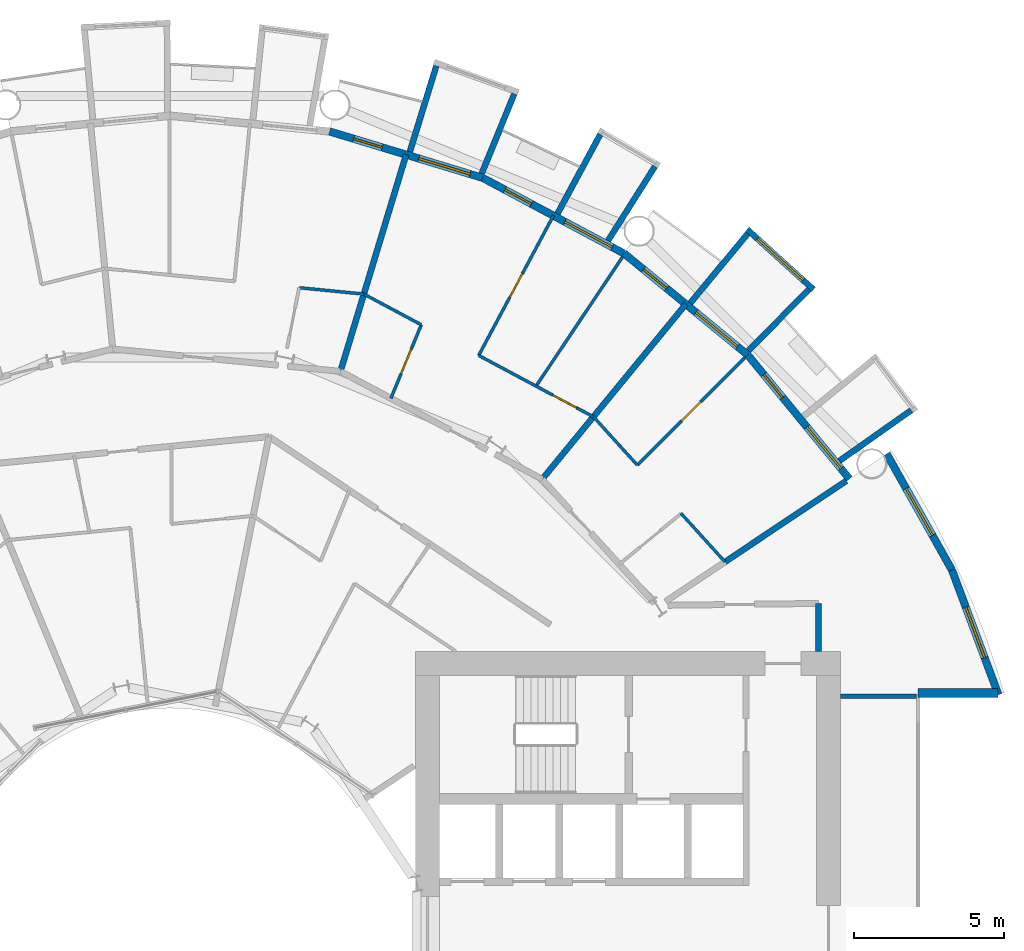
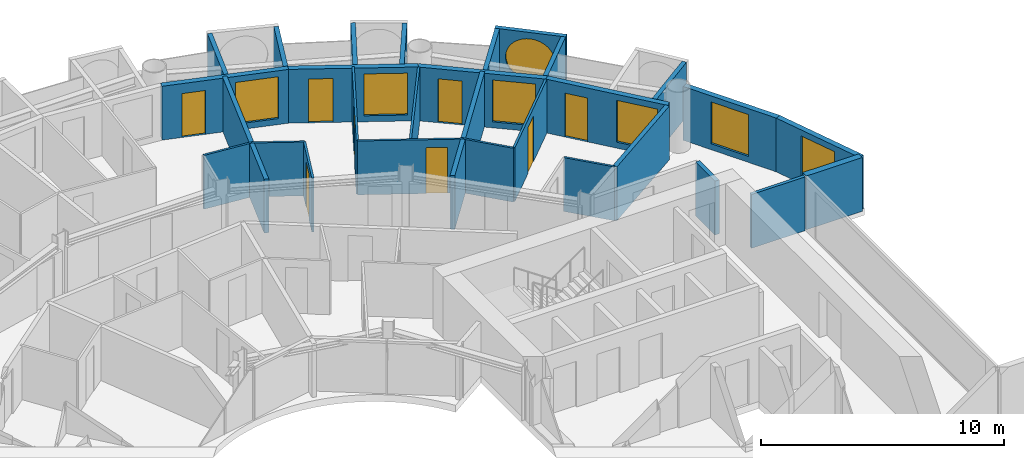
# One storey, part 22 of 26: 29 walls, 8 doors, 7 windows, 15 openings.
"""IFC4 building model written with IfcOpenShell, lengths in metres."""

from ifc_helpers import new_model, si_unit, direction, frame, frame_2d, origin, place, context, subcontext, project, spatial, rectangle, circle, extrude, material, layer, layer_set, type_object, element, fill, save


model = new_model("IFC4")

# Units and contexts
model_context = context("Model", 3, precision=1e-05, world=origin(), true_north=direction((0.0, 1.0)))
body_context = subcontext(model_context, "Body", "Model", "MODEL_VIEW")
ifc_project = project(units=[si_unit("LENGTHUNIT", "METRE"), si_unit("AREAUNIT", "SQUARE_METRE"), si_unit("VOLUMEUNIT", "CUBIC_METRE"), si_unit("PLANEANGLEUNIT", "RADIAN"), si_unit("MASSUNIT", "GRAM", prefix="KILO")], contexts=[model_context])

# Site, building, storey
site_placement = place(None, origin())
site = spatial("IfcSite", under=ifc_project, at=site_placement, CompositionType="ELEMENT")
building_placement = place(site_placement, origin())
building = spatial("IfcBuilding", under=site, at=building_placement, Name="Maasbend Ring Residences", CompositionType="ELEMENT")
storey_placement = place(building_placement, frame((0.0, 0.0, 25.85009765625)))
storey = spatial("IfcBuildingStorey", under=building, at=storey_placement, Name="L06", CompositionType="ELEMENT", Elevation=25.85009765625)

# Walls
ifc_material_1 = material(Name="Concrete C30/37", Category="concrete")
ifc_layer_1 = layer(ifc_material_1, 0.199951171875)
ifc_layer_set_1 = layer_set([ifc_layer_1], Name="Concrete C30/37")
wall_type_1 = type_object("IfcWallType", Name="CORRIDOR WALL 200 CONCRETE", PredefinedType="PARTITIONING", material=ifc_layer_set_1)
wall_1_placement = place(storey_placement, frame((21.675048828125, 9.39990234375, 0.0), z_axis=(0.0, 0.0, 1.0), x_axis=(0.0, 1.0, 0.0)))
element("IfcWall", 1, at=wall_1_placement, inside=storey, type_object=wall_type_1, Name="U-L06-w008", PredefinedType="PARTITIONING", context=body_context, shape_type="SweptSolid", body=[
    extrude(rectangle(XDim=1.60009765625, YDim=0.199951171875, at=frame_2d((0.800048828125, 0.0))), origin(), (0.0, 0.0, 1.0), 2.699951171875),
])
ifc_material_2 = material(Name="Pale anodised aluminium panel", Category="aluminium")
ifc_layer_2 = layer(ifc_material_2, 0.199951171875)
ifc_layer_set_2 = layer_set([ifc_layer_2], Name="EW-BOX")
wall_type_2 = type_object("IfcWallType", Name="EW-BOX", PredefinedType="SOLIDWALL", material=ifc_layer_set_2)
wall_2_placement = place(storey_placement, frame((22.3701171875, 15.764892578125, -0.030029296875), z_axis=(0.0, 0.0, 1.0), x_axis=(0.817256123454, 0.576274612209, 0.0)))
element("IfcWall", 2, at=wall_2_placement, inside=storey, type_object=wall_type_2, Name="Box side wall N01 left", PredefinedType="SOLIDWALL", context=body_context, shape_type="SweptSolid", body=[
    extrude(rectangle(XDim=2.932861328125, YDim=0.199951171875, at=frame_2d((1.46630859375, 0.0))), origin(), (0.0, 0.0, 1.0), 2.72998046875),
])

# Wall, opening, window
wall_3_placement = place(storey_placement, frame((21.5, 21.492919921875, -0.030029296875), z_axis=(0.0, 0.0, 1.0), x_axis=(-0.740998365753, 0.671506829416, 0.0)))
wall_3 = element("IfcWall", 3, at=wall_3_placement, inside=storey, type_object=wall_type_2, Name="Box front N03", PredefinedType="SOLIDWALL", context=body_context, shape_type="SweptSolid", body=[
    extrude(rectangle(XDim=2.9931640625, YDim=0.199951171875, at=frame_2d((1.49658203125, 0.0))), origin(), (0.0, 0.0, 1.0), 2.72998046875),
])
opening_1_placement = place(wall_3_placement, frame((0.45654296875, 0.0, 0.330078125)))
opening_1 = element("IfcOpeningElement", 4, at=opening_1_placement, cuts=wall_3, Name="Opening W-RD", PredefinedType="OPENING", context=body_context, shape_type="SweptSolid", body=[
    extrude(circle(Radius=1.0400390625, at=frame_2d((1.0400390625, 1.0400390625))), frame((0.0, 0.10986328125, 0.0), z_axis=(0.0, -1.0, 0.0), x_axis=(1.0, 0.0, 0.0)), (0.0, 0.0, 1.0), 0.219970703125),
])
ifc_material_3 = material(Name="Aluminium and clear glass", Category="aluminium")
window_type_1 = type_object("IfcWindowType", Name="W-RD", PartitioningType="SINGLE_PANEL", PredefinedType="WINDOW", material=ifc_material_3)
window_1_placement = place(opening_1_placement, origin())
window_1 = element("IfcWindow", 5, at=window_1_placement, inside=storey, type_object=window_type_1, Name="Round window N03", OverallHeight=2.080078125, OverallWidth=2.080078125, PartitioningType="SINGLE_PANEL", PredefinedType="WINDOW", context=body_context, shape_type="SweptSolid", body=[
    extrude(circle(Radius=1.0400390625, at=frame_2d((1.0400390625, 1.0400390625))), frame((0.0, 0.030029296875, 0.0), z_axis=(0.0, -1.0, 0.0), x_axis=(1.0, 0.0, 0.0)), (0.0, 0.0, 1.0), 0.06005859375),
])
fill(opening_1, window_1)

# Walls
wall_4_placement = place(storey_placement, frame((19.322998046875, 19.449951171875, -0.030029296875), z_axis=(0.0, 0.0, 1.0), x_axis=(0.704476739375, 0.709727076896, 0.0)))
element("IfcWall", 6, at=wall_4_placement, inside=storey, type_object=wall_type_2, Name="Box side wall N03 left", PredefinedType="SOLIDWALL", context=body_context, shape_type="SweptSolid", body=[
    extrude(rectangle(XDim=2.883056640625, YDim=0.199951171875, at=frame_2d((1.44140625, 0.0))), origin(), (0.0, 0.0, 1.0), 2.72998046875),
])
wall_5_placement = place(storey_placement, frame((17.384033203125, 21.041015625, -0.030029296875), z_axis=(0.0, 0.0, 1.0), x_axis=(0.63709551667, 0.770784861449, 0.0)))
element("IfcWall", 7, at=wall_5_placement, inside=storey, type_object=wall_type_2, Name="Box side wall N03 right", PredefinedType="SOLIDWALL", context=body_context, shape_type="SweptSolid", body=[
    extrude(rectangle(XDim=3.005859375, YDim=0.199951171875, at=frame_2d((1.5029296875, 0.0))), origin(), (0.0, 0.0, 1.0), 2.72998046875),
])
wall_6_placement = place(storey_placement, frame((14.635009765625, 23.1259765625, -0.030029296875), z_axis=(0.0, 0.0, 1.0), x_axis=(0.534437802731, 0.845207805816, 0.0)))
element("IfcWall", 8, at=wall_6_placement, inside=storey, type_object=wall_type_2, Name="Box side wall N05 left", PredefinedType="SOLIDWALL", context=body_context, shape_type="SweptSolid", body=[
    extrude(rectangle(XDim=2.931884765625, YDim=0.199951171875, at=frame_2d((1.4658203125, 0.0))), origin(), (0.0, 0.0, 1.0), 2.72998046875),
])
wall_7_placement = place(storey_placement, frame((12.945068359375, 24.029052734375, -0.030029296875), z_axis=(0.0, 0.0, 1.0), x_axis=(0.474424310775, 0.88029629861, 0.0)))
element("IfcWall", 9, at=wall_7_placement, inside=storey, type_object=wall_type_2, Name="Box side wall N05 right", PredefinedType="SOLIDWALL", context=body_context, shape_type="SweptSolid", body=[
    extrude(rectangle(XDim=3.005859375, YDim=0.199951171875, at=frame_2d((1.5029296875, 0.0))), origin(), (0.0, 0.0, 1.0), 2.72998046875),
])
wall_8_placement = place(storey_placement, frame((10.408935546875, 25.364013671875, -0.030029296875), z_axis=(0.0, 0.0, 1.0), x_axis=(0.379509886562, 0.925187681501, 0.0)))
element("IfcWall", 10, at=wall_8_placement, inside=storey, type_object=wall_type_2, Name="Box side wall N07 left", PredefinedType="SOLIDWALL", context=body_context, shape_type="SweptSolid", body=[
    extrude(rectangle(XDim=2.882568359375, YDim=0.199951171875, at=frame_2d((1.44140625, 0.0))), origin(), (0.0, 0.0, 1.0), 2.72998046875),
])
wall_9_placement = place(storey_placement, frame((8.009033203125, 26.092041015625, -0.030029296875), z_axis=(0.0, 0.0, 1.0), x_axis=(0.293406695073, 0.955987715029, 0.0)))
element("IfcWall", 11, at=wall_9_placement, inside=storey, type_object=wall_type_2, Name="Box side wall N07 right", PredefinedType="SOLIDWALL", context=body_context, shape_type="SweptSolid", body=[
    extrude(rectangle(XDim=3.00634765625, YDim=0.199951171875, at=frame_2d((1.503173828125, 0.0))), origin(), (0.0, 0.0, 1.0), 2.72998046875),
])

# Wall, openings, door, window
ifc_material_4 = material(Name="Aluminium clad insulated panel", Category="aluminium")
ifc_layer_3 = layer(ifc_material_4, 0.25)
ifc_layer_set_3 = layer_set([ifc_layer_3], Name="EW-GL")
wall_type_3 = type_object("IfcWallType", Name="EW-GL", PredefinedType="SOLIDWALL", material=ifc_layer_set_3)
wall_10_placement = place(storey_placement, frame((22.698974609375, 15.1669921875, 0.0), z_axis=(0.0, 0.0, 1.0), x_axis=(-0.634382322723, 0.773019449054, 0.0)))
wall_10 = element("IfcWall", 12, at=wall_10_placement, inside=storey, type_object=wall_type_3, Name="External wall N01", PredefinedType="SOLIDWALL", context=body_context, shape_type="SweptSolid", body=[
    extrude(rectangle(XDim=5.351806640625, YDim=0.25, at=frame_2d((2.67578125, 0.0))), origin(), (0.0, 0.0, 1.0), 2.699951171875),
])
opening_2_placement = place(wall_10_placement, frame((0.441162109375, 0.0, 0.300048828125)))
opening_2 = element("IfcOpeningElement", 13, at=opening_2_placement, cuts=wall_10, Name="Opening W-BX", PredefinedType="OPENING", context=body_context, shape_type="SweptSolid", body=[
    extrude(rectangle(XDim=1.800048828125, YDim=2.10009765625, at=frame_2d((0.89990234375, 1.050048828125))), frame((0.0, 0.135009765625, 0.0), z_axis=(0.0, -1.0, 0.0), x_axis=(1.0, 0.0, 0.0)), (0.0, 0.0, 1.0), 0.27001953125),
])
opening_3_placement = place(wall_10_placement, frame((3.510498046875, 0.0, 0.0)))
opening_3 = element("IfcOpeningElement", 14, at=opening_3_placement, cuts=wall_10, Name="Opening D-LG", PredefinedType="OPENING", context=body_context, shape_type="SweptSolid", body=[
    extrude(rectangle(XDim=1.0, YDim=2.199951171875, at=frame_2d((0.5, 1.10009765625))), frame((0.0, 0.135009765625, 0.0), z_axis=(0.0, -1.0, 0.0), x_axis=(1.0, 0.0, 0.0)), (0.0, 0.0, 1.0), 0.27001953125),
])
ifc_material_5 = material(Name="Aluminium and clear glass", Category="aluminium")
door_type_1 = type_object("IfcDoorType", Name="D-LG", OperationType="SINGLE_SWING_LEFT", PredefinedType="DOOR", material=ifc_material_5)
door_1_placement = place(opening_3_placement, origin())
door_1 = element("IfcDoor", 15, at=door_1_placement, inside=storey, type_object=door_type_1, Name="Loggia door N02", OperationType="SINGLE_SWING_LEFT", OverallHeight=2.199951171875, OverallWidth=1.0, PredefinedType="DOOR", context=body_context, shape_type="SweptSolid", body=[
    extrude(rectangle(XDim=1.0, YDim=2.199951171875, at=frame_2d((0.5, 1.10009765625))), frame((0.0, 0.02490234375, 0.0), z_axis=(0.0, -1.0, 0.0), x_axis=(1.0, 0.0, 0.0)), (0.0, 0.0, 1.0), 0.050048828125),
])
fill(opening_3, door_1)
ifc_material_6 = material(Name="Aluminium and clear glass", Category="aluminium")
window_type_2 = type_object("IfcWindowType", Name="W-BX", PartitioningType="DOUBLE_PANEL_VERTICAL", PredefinedType="WINDOW", material=ifc_material_6)
window_2_placement = place(opening_2_placement, origin())
window_2 = element("IfcWindow", 16, at=window_2_placement, inside=storey, type_object=window_type_2, Name="Window N01 room to box", OverallHeight=2.10009765625, OverallWidth=1.800048828125, PartitioningType="SINGLE_PANEL", PredefinedType="WINDOW", context=body_context, shape_type="SweptSolid", body=[
    extrude(rectangle(XDim=1.800048828125, YDim=2.10009765625, at=frame_2d((0.89990234375, 1.050048828125))), frame((0.0, 0.030029296875, 0.0), z_axis=(0.0, -1.0, 0.0), x_axis=(1.0, 0.0, 0.0)), (0.0, 0.0, 1.0), 0.06005859375),
])
fill(opening_2, window_2)

wall_11_placement = place(storey_placement, frame((19.303955078125, 19.303955078125, 0.0), z_axis=(0.0, 0.0, 1.0), x_axis=(-0.773019449054, 0.634382322723, 0.0)))
wall_11 = element("IfcWall", 17, at=wall_11_placement, inside=storey, type_object=wall_type_3, Name="External wall N02", PredefinedType="SOLIDWALL", context=body_context, shape_type="SweptSolid", body=[
    extrude(rectangle(XDim=5.351806640625, YDim=0.25, at=frame_2d((2.67578125, 0.0))), origin(), (0.0, 0.0, 1.0), 2.699951171875),
])
opening_4_placement = place(wall_11_placement, frame((0.441162109375, 0.0, 0.300048828125)))
opening_4 = element("IfcOpeningElement", 18, at=opening_4_placement, cuts=wall_11, Name="Opening W-BX", PredefinedType="OPENING", context=body_context, shape_type="SweptSolid", body=[
    extrude(rectangle(XDim=1.800048828125, YDim=2.10009765625, at=frame_2d((0.89990234375, 1.050048828125))), frame((0.0, 0.135009765625, 0.0), z_axis=(0.0, -1.0, 0.0), x_axis=(1.0, 0.0, 0.0)), (0.0, 0.0, 1.0), 0.27001953125),
])
opening_5_placement = place(wall_11_placement, frame((3.510498046875, 0.0, 0.0)))
opening_5 = element("IfcOpeningElement", 19, at=opening_5_placement, cuts=wall_11, Name="Opening D-LG", PredefinedType="OPENING", context=body_context, shape_type="SweptSolid", body=[
    extrude(rectangle(XDim=1.0, YDim=2.199951171875, at=frame_2d((0.5, 1.10009765625))), frame((0.0, 0.135009765625, 0.0), z_axis=(0.0, -1.0, 0.0), x_axis=(1.0, 0.0, 0.0)), (0.0, 0.0, 1.0), 0.27001953125),
])
door_2_placement = place(opening_5_placement, origin())
door_2 = element("IfcDoor", 20, at=door_2_placement, inside=storey, type_object=door_type_1, Name="Loggia door N04", OperationType="SINGLE_SWING_LEFT", OverallHeight=2.199951171875, OverallWidth=1.0, PredefinedType="DOOR", context=body_context, shape_type="SweptSolid", body=[
    extrude(rectangle(XDim=1.0, YDim=2.199951171875, at=frame_2d((0.5, 1.10009765625))), frame((0.0, 0.02490234375, 0.0), z_axis=(0.0, -1.0, 0.0), x_axis=(1.0, 0.0, 0.0)), (0.0, 0.0, 1.0), 0.050048828125),
])
fill(opening_5, door_2)
window_3_placement = place(opening_4_placement, origin())
window_3 = element("IfcWindow", 21, at=window_3_placement, inside=storey, type_object=window_type_2, Name="Window N03 room to box", OverallHeight=2.10009765625, OverallWidth=1.800048828125, PartitioningType="SINGLE_PANEL", PredefinedType="WINDOW", context=body_context, shape_type="SweptSolid", body=[
    extrude(rectangle(XDim=1.800048828125, YDim=2.10009765625, at=frame_2d((0.89990234375, 1.050048828125))), frame((0.0, 0.030029296875, 0.0), z_axis=(0.0, -1.0, 0.0), x_axis=(1.0, 0.0, 0.0)), (0.0, 0.0, 1.0), 0.06005859375),
])
fill(opening_4, window_3)

wall_12_placement = place(storey_placement, frame((15.1669921875, 22.698974609375, 0.0), z_axis=(0.0, 0.0, 1.0), x_axis=(-0.881915646801, 0.471407246368, 0.0)))
wall_12 = element("IfcWall", 22, at=wall_12_placement, inside=storey, type_object=wall_type_3, Name="External wall N03", PredefinedType="SOLIDWALL", context=body_context, shape_type="SweptSolid", body=[
    extrude(rectangle(XDim=5.35205078125, YDim=0.25, at=frame_2d((2.676025390625, 0.0))), origin(), (0.0, 0.0, 1.0), 2.699951171875),
])
opening_6_placement = place(wall_12_placement, frame((0.441162109375, 0.0, 0.300048828125)))
opening_6 = element("IfcOpeningElement", 23, at=opening_6_placement, cuts=wall_12, Name="Opening W-BX", PredefinedType="OPENING", context=body_context, shape_type="SweptSolid", body=[
    extrude(rectangle(XDim=1.800048828125, YDim=2.10009765625, at=frame_2d((0.89990234375, 1.050048828125))), frame((0.0, 0.135009765625, 0.0), z_axis=(0.0, -1.0, 0.0), x_axis=(1.0, 0.0, 0.0)), (0.0, 0.0, 1.0), 0.27001953125),
])
opening_7_placement = place(wall_12_placement, frame((3.510498046875, 0.0, 0.0)))
opening_7 = element("IfcOpeningElement", 24, at=opening_7_placement, cuts=wall_12, Name="Opening D-LG", PredefinedType="OPENING", context=body_context, shape_type="SweptSolid", body=[
    extrude(rectangle(XDim=1.0, YDim=2.199951171875, at=frame_2d((0.5, 1.10009765625))), frame((0.0, 0.135009765625, 0.0), z_axis=(0.0, -1.0, 0.0), x_axis=(1.0, 0.0, 0.0)), (0.0, 0.0, 1.0), 0.27001953125),
])
door_3_placement = place(opening_7_placement, origin())
door_3 = element("IfcDoor", 25, at=door_3_placement, inside=storey, type_object=door_type_1, Name="Loggia door N06", OperationType="SINGLE_SWING_LEFT", OverallHeight=2.199951171875, OverallWidth=1.0, PredefinedType="DOOR", context=body_context, shape_type="SweptSolid", body=[
    extrude(rectangle(XDim=1.0, YDim=2.199951171875, at=frame_2d((0.5, 1.10009765625))), frame((0.0, 0.02490234375, 0.0), z_axis=(0.0, -1.0, 0.0), x_axis=(1.0, 0.0, 0.0)), (0.0, 0.0, 1.0), 0.050048828125),
])
fill(opening_7, door_3)
window_4_placement = place(opening_6_placement, origin())
window_4 = element("IfcWindow", 26, at=window_4_placement, inside=storey, type_object=window_type_2, Name="Window N05 room to box", OverallHeight=2.10009765625, OverallWidth=1.800048828125, PartitioningType="SINGLE_PANEL", PredefinedType="WINDOW", context=body_context, shape_type="SweptSolid", body=[
    extrude(rectangle(XDim=1.800048828125, YDim=2.10009765625, at=frame_2d((0.89990234375, 1.050048828125))), frame((0.0, 0.030029296875, 0.0), z_axis=(0.0, -1.0, 0.0), x_axis=(1.0, 0.0, 0.0)), (0.0, 0.0, 1.0), 0.06005859375),
])
fill(opening_6, window_4)

wall_13_placement = place(storey_placement, frame((10.447021484375, 25.221923828125, 0.0), z_axis=(0.0, 0.0, 1.0), x_axis=(-0.956965678721, 0.290201119486, 0.0)))
wall_13 = element("IfcWall", 27, at=wall_13_placement, inside=storey, type_object=wall_type_3, Name="External wall N04", PredefinedType="SOLIDWALL", context=body_context, shape_type="SweptSolid", body=[
    extrude(rectangle(XDim=5.351318359375, YDim=0.25, at=frame_2d((2.67578125, 0.0))), origin(), (0.0, 0.0, 1.0), 2.699951171875),
])
opening_8_placement = place(wall_13_placement, frame((0.441162109375, 0.0, 0.300048828125)))
opening_8 = element("IfcOpeningElement", 28, at=opening_8_placement, cuts=wall_13, Name="Opening W-BX", PredefinedType="OPENING", context=body_context, shape_type="SweptSolid", body=[
    extrude(rectangle(XDim=1.800048828125, YDim=2.10009765625, at=frame_2d((0.89990234375, 1.050048828125))), frame((0.0, 0.135009765625, 0.0), z_axis=(0.0, -1.0, 0.0), x_axis=(1.0, 0.0, 0.0)), (0.0, 0.0, 1.0), 0.27001953125),
])
opening_9_placement = place(wall_13_placement, frame((3.510498046875, 0.0, 0.0)))
opening_9 = element("IfcOpeningElement", 29, at=opening_9_placement, cuts=wall_13, Name="Opening D-LG", PredefinedType="OPENING", context=body_context, shape_type="SweptSolid", body=[
    extrude(rectangle(XDim=1.0, YDim=2.199951171875, at=frame_2d((0.5, 1.10009765625))), frame((0.0, 0.135009765625, 0.0), z_axis=(0.0, -1.0, 0.0), x_axis=(1.0, 0.0, 0.0)), (0.0, 0.0, 1.0), 0.27001953125),
])
door_4_placement = place(opening_9_placement, origin())
door_4 = element("IfcDoor", 30, at=door_4_placement, inside=storey, type_object=door_type_1, Name="Loggia door N08", OperationType="SINGLE_SWING_LEFT", OverallHeight=2.199951171875, OverallWidth=1.0, PredefinedType="DOOR", context=body_context, shape_type="SweptSolid", body=[
    extrude(rectangle(XDim=1.0, YDim=2.199951171875, at=frame_2d((0.5, 1.10009765625))), frame((0.0, 0.02490234375, 0.0), z_axis=(0.0, -1.0, 0.0), x_axis=(1.0, 0.0, 0.0)), (0.0, 0.0, 1.0), 0.050048828125),
])
fill(opening_9, door_4)
window_5_placement = place(opening_8_placement, origin())
window_5 = element("IfcWindow", 31, at=window_5_placement, inside=storey, type_object=window_type_2, Name="Window N07 room to box", OverallHeight=2.10009765625, OverallWidth=1.800048828125, PartitioningType="SINGLE_PANEL", PredefinedType="WINDOW", context=body_context, shape_type="SweptSolid", body=[
    extrude(rectangle(XDim=1.800048828125, YDim=2.10009765625, at=frame_2d((0.89990234375, 1.050048828125))), frame((0.0, 0.030029296875, 0.0), z_axis=(0.0, -1.0, 0.0), x_axis=(1.0, 0.0, 0.0)), (0.0, 0.0, 1.0), 0.06005859375),
])
fill(opening_8, window_5)

# Wall, opening, window
ifc_material_7 = material(Name="Aluminium clad insulated panel", Category="aluminium")
ifc_layer_4 = layer(ifc_material_7, 0.25)
ifc_layer_set_4 = layer_set([ifc_layer_4], Name="EW-HORN")
wall_type_4 = type_object("IfcWallType", Name="EW-HORN", PredefinedType="SOLIDWALL", material=ifc_layer_set_4)
wall_14_placement = place(storey_placement, frame((27.681884765625, 7.945068359375, 0.0), z_axis=(0.0, 0.0, 1.0), x_axis=(-0.349247811493, 0.937030397675, 0.0)))
wall_14 = element("IfcWall", 32, at=wall_14_placement, inside=storey, type_object=wall_type_4, Name="Horn wall 1.1", PredefinedType="SOLIDWALL", context=body_context, shape_type="SweptSolid", body=[
    extrude(rectangle(XDim=4.4521484375, YDim=0.25, at=frame_2d((2.22607421875, 0.0))), origin(), (0.0, 0.0, 1.0), 2.699951171875),
])
opening_10_placement = place(wall_14_placement, frame((1.32666015625, 0.0, 0.300048828125)))
opening_10 = element("IfcOpeningElement", 33, at=opening_10_placement, cuts=wall_14, Name="Opening W-BX", PredefinedType="OPENING", context=body_context, shape_type="SweptSolid", body=[
    extrude(rectangle(XDim=1.800048828125, YDim=2.10009765625, at=frame_2d((0.89990234375, 1.050048828125))), frame((0.0, 0.135009765625, 0.0), z_axis=(0.0, -1.0, 0.0), x_axis=(1.0, 0.0, 0.0)), (0.0, 0.0, 1.0), 0.27001953125),
])
window_6_placement = place(opening_10_placement, origin())
window_6 = element("IfcWindow", 34, at=window_6_placement, inside=storey, type_object=window_type_2, Name="Horn window 1.1", OverallHeight=2.10009765625, OverallWidth=1.800048828125, PartitioningType="SINGLE_PANEL", PredefinedType="WINDOW", context=body_context, shape_type="SweptSolid", body=[
    extrude(rectangle(XDim=1.800048828125, YDim=2.10009765625, at=frame_2d((0.89990234375, 1.050048828125))), frame((0.0, 0.030029296875, 0.0), z_axis=(0.0, -1.0, 0.0), x_axis=(1.0, 0.0, 0.0)), (0.0, 0.0, 1.0), 0.06005859375),
])
fill(opening_10, window_6)

wall_15_placement = place(storey_placement, frame((26.126953125, 12.116943359375, 0.0), z_axis=(0.0, 0.0, 1.0), x_axis=(-0.489696356642, 0.871893042919, 0.0)))
wall_15 = element("IfcWall", 35, at=wall_15_placement, inside=storey, type_object=wall_type_4, Name="Horn wall 1.2", PredefinedType="SOLIDWALL", context=body_context, shape_type="SweptSolid", body=[
    extrude(rectangle(XDim=4.45361328125, YDim=0.25, at=frame_2d((2.226806640625, 0.0))), origin(), (0.0, 0.0, 1.0), 2.699951171875),
])
opening_11_placement = place(wall_15_placement, frame((1.32666015625, 0.0, 0.300048828125)))
opening_11 = element("IfcOpeningElement", 36, at=opening_11_placement, cuts=wall_15, Name="Opening W-BX", PredefinedType="OPENING", context=body_context, shape_type="SweptSolid", body=[
    extrude(rectangle(XDim=1.800048828125, YDim=2.10009765625, at=frame_2d((0.89990234375, 1.050048828125))), frame((0.0, 0.135009765625, 0.0), z_axis=(0.0, -1.0, 0.0), x_axis=(1.0, 0.0, 0.0)), (0.0, 0.0, 1.0), 0.27001953125),
])
window_7_placement = place(opening_11_placement, origin())
window_7 = element("IfcWindow", 37, at=window_7_placement, inside=storey, type_object=window_type_2, Name="Horn window 1.2", OverallHeight=2.10009765625, OverallWidth=1.800048828125, PartitioningType="SINGLE_PANEL", PredefinedType="WINDOW", context=body_context, shape_type="SweptSolid", body=[
    extrude(rectangle(XDim=1.800048828125, YDim=2.10009765625, at=frame_2d((0.89990234375, 1.050048828125))), frame((0.0, 0.030029296875, 0.0), z_axis=(0.0, -1.0, 0.0), x_axis=(1.0, 0.0, 0.0)), (0.0, 0.0, 1.0), 0.06005859375),
])
fill(opening_11, window_7)

# Wall
ifc_material_8 = material(Name="Aluminium clad insulated panel", Category="aluminium")
ifc_layer_5 = layer(ifc_material_8, 0.300048828125)
ifc_layer_set_5 = layer_set([ifc_layer_5], Name="EW-RET")
wall_type_5 = type_object("IfcWallType", Name="EW-RET", PredefinedType="SOLIDWALL", material=ifc_layer_set_5)
wall_16_placement = place(storey_placement, frame((25.0, 8.0, 0.0), z_axis=(0.0, 0.0, 1.0), x_axis=(1.0, 0.0, 0.0)))
element("IfcWall", 38, at=wall_16_placement, inside=storey, type_object=wall_type_5, Name="Notch return wall east north", PredefinedType="SOLIDWALL", context=body_context, shape_type="SweptSolid", body=[
    extrude(rectangle(XDim=2.6669921875, YDim=0.300048828125, at=frame_2d((1.33349609375, 0.0))), origin(), (0.0, 0.0, 1.0), 2.699951171875),
])

# Wall, opening, door
ifc_material_9 = material(Name="Gypsum board on steel studs", Category="steel")
ifc_layer_6 = layer(ifc_material_9, 0.10009765625)
ifc_layer_set_6 = layer_set([ifc_layer_6], Name="PARTITION 100 GYPSUM")
wall_type_6 = type_object("IfcWallType", Name="PARTITION 100 GYPSUM", PredefinedType="PARTITIONING", material=ifc_layer_set_6)
wall_17_placement = place(storey_placement, frame((7.3759765625, 17.85498046875, 0.0), z_axis=(0.0, 0.0, 1.0), x_axis=(0.38190329031, 0.924202292169, 0.0)))
wall_17 = element("IfcWall", 39, at=wall_17_placement, inside=storey, type_object=wall_type_6, Name="U-L06-w083", PredefinedType="PARTITIONING", context=body_context, shape_type="SweptSolid", body=[
    extrude(rectangle(XDim=2.66064453125, YDim=0.10009765625, at=frame_2d((1.330322265625, 0.0))), origin(), (0.0, 0.0, 1.0), 2.699951171875),
])
opening_12_placement = place(wall_17_placement, frame((0.8798828125, 0.0, 0.0)))
opening_12 = element("IfcOpeningElement", 40, at=opening_12_placement, cuts=wall_17, Name="Opening D-0605", PredefinedType="OPENING", context=body_context, shape_type="SweptSolid", body=[
    extrude(rectangle(XDim=0.89990234375, YDim=2.300048828125, at=frame_2d((0.449951171875, 1.14990234375))), frame((0.0, 0.06005859375, 0.0), z_axis=(0.0, -1.0, 0.0), x_axis=(1.0, 0.0, 0.0)), (0.0, 0.0, 1.0), 0.1201171875),
])
ifc_material_10 = material(Name="Timber, painted", Category="wood")
door_type_2 = type_object("IfcDoorType", Name="INTERNAL DOOR 900 X 2300", OperationType="NOTDEFINED", PredefinedType="DOOR", material=ifc_material_10)
door_5_placement = place(opening_12_placement, origin())
door_5 = element("IfcDoor", 41, at=door_5_placement, inside=storey, type_object=door_type_2, Name="D-0605", OperationType="SINGLE_SWING_RIGHT", OverallHeight=2.300048828125, OverallWidth=0.89990234375, PredefinedType="DOOR", context=body_context, shape_type="SweptSolid", body=[
    extrude(rectangle(XDim=0.89990234375, YDim=2.300048828125, at=frame_2d((0.449951171875, 1.14990234375))), frame((0.0, 0.02490234375, 0.0), z_axis=(0.0, -1.0, 0.0), x_axis=(1.0, 0.0, 0.0)), (0.0, 0.0, 1.0), 0.050048828125),
])
fill(opening_12, door_5)

wall_18_placement = place(storey_placement, frame((10.31005859375, 19.2890625, 0.0), z_axis=(0.0, 0.0, 1.0), x_axis=(0.47140999111, 0.881914179658, 0.0)))
wall_18 = element("IfcWall", 42, at=wall_18_placement, inside=storey, type_object=wall_type_6, Name="U-L06-w084", PredefinedType="PARTITIONING", context=body_context, shape_type="SweptSolid", body=[
    extrude(rectangle(XDim=5.30322265625, YDim=0.10009765625, at=frame_2d((2.651611328125, 0.0))), origin(), (0.0, 0.0, 1.0), 2.699951171875),
])
opening_13_placement = place(wall_18_placement, frame((2.201904296875, 0.0, 0.0)))
opening_13 = element("IfcOpeningElement", 43, at=opening_13_placement, cuts=wall_18, Name="Opening D-0606", PredefinedType="OPENING", context=body_context, shape_type="SweptSolid", body=[
    extrude(rectangle(XDim=0.89990234375, YDim=2.300048828125, at=frame_2d((0.449951171875, 1.14990234375))), frame((0.0, 0.06005859375, 0.0), z_axis=(0.0, -1.0, 0.0), x_axis=(1.0, 0.0, 0.0)), (0.0, 0.0, 1.0), 0.1201171875),
])
door_6_placement = place(opening_13_placement, origin())
door_6 = element("IfcDoor", 44, at=door_6_placement, inside=storey, type_object=door_type_2, Name="D-0606", OperationType="SINGLE_SWING_RIGHT", OverallHeight=2.300048828125, OverallWidth=0.89990234375, PredefinedType="DOOR", context=body_context, shape_type="SweptSolid", body=[
    extrude(rectangle(XDim=0.89990234375, YDim=2.300048828125, at=frame_2d((0.449951171875, 1.14990234375))), frame((0.0, 0.02490234375, 0.0), z_axis=(0.0, -1.0, 0.0), x_axis=(1.0, 0.0, 0.0)), (0.0, 0.0, 1.0), 0.050048828125),
])
fill(opening_13, door_6)

# Wall
wall_19_placement = place(storey_placement, frame((12.22900390625, 18.263916015625, 0.0), z_axis=(0.0, 0.0, 1.0), x_axis=(0.556271707676, 0.83100047367, 0.0)))
element("IfcWall", 45, at=wall_19_placement, inside=storey, type_object=wall_type_6, Name="U-L06-w086", PredefinedType="PARTITIONING", context=body_context, shape_type="SweptSolid", body=[
    extrude(rectangle(XDim=5.195068359375, YDim=0.10009765625, at=frame_2d((2.59765625, 0.0))), origin(), (0.0, 0.0, 1.0), 2.699951171875),
])

# Wall, opening, door
wall_20_placement = place(storey_placement, frame((15.612060546875, 15.6220703125, 0.0), z_axis=(0.0, 0.0, 1.0), x_axis=(0.706914880313, 0.707298629994, 0.0)))
wall_20 = element("IfcWall", 46, at=wall_20_placement, inside=storey, type_object=wall_type_6, Name="U-L06-w091", PredefinedType="PARTITIONING", context=body_context, shape_type="SweptSolid", body=[
    extrude(rectangle(XDim=5.089599609375, YDim=0.10009765625, at=frame_2d((2.544921875, 0.0))), origin(), (0.0, 0.0, 1.0), 2.699951171875),
])
opening_14_placement = place(wall_20_placement, frame((2.094970703125, 0.0, 0.0)))
opening_14 = element("IfcOpeningElement", 47, at=opening_14_placement, cuts=wall_20, Name="Opening D-0603", PredefinedType="OPENING", context=body_context, shape_type="SweptSolid", body=[
    extrude(rectangle(XDim=0.89990234375, YDim=2.300048828125, at=frame_2d((0.449951171875, 1.14990234375))), frame((0.0, 0.06005859375, 0.0), z_axis=(0.0, -1.0, 0.0), x_axis=(1.0, 0.0, 0.0)), (0.0, 0.0, 1.0), 0.1201171875),
])
door_7_placement = place(opening_14_placement, origin())
door_7 = element("IfcDoor", 48, at=door_7_placement, inside=storey, type_object=door_type_2, Name="D-0603", OperationType="SINGLE_SWING_LEFT", OverallHeight=2.300048828125, OverallWidth=0.89990234375, PredefinedType="DOOR", context=body_context, shape_type="SweptSolid", body=[
    extrude(rectangle(XDim=0.89990234375, YDim=2.300048828125, at=frame_2d((0.449951171875, 1.14990234375))), frame((0.0, 0.02490234375, 0.0), z_axis=(0.0, -1.0, 0.0), x_axis=(1.0, 0.0, 0.0)), (0.0, 0.0, 1.0), 0.050048828125),
])
fill(opening_14, door_7)

# Walls
wall_21_placement = place(storey_placement, frame((4.31298828125, 21.552001953125, 0.0), z_axis=(0.0, 0.0, 1.0), x_axis=(0.995195976339, -0.097902853268, 0.0)))
element("IfcWall", 49, at=wall_21_placement, inside=storey, type_object=wall_type_6, Name="U-L06-w122", PredefinedType="PARTITIONING", context=body_context, shape_type="SweptSolid", body=[
    extrude(rectangle(XDim=2.174560546875, YDim=0.10009765625, at=frame_2d((1.08740234375, 0.0))), origin(), (0.0, 0.0, 1.0), 2.699951171875),
])
wall_22_placement = place(storey_placement, frame((6.472900390625, 21.340087890625, 0.0), z_axis=(0.0, 0.0, 1.0), x_axis=(0.881864921102, -0.471502132476, 0.0)))
element("IfcWall", 50, at=wall_22_placement, inside=storey, type_object=wall_type_6, Name="U-L06-w123", PredefinedType="PARTITIONING", context=body_context, shape_type="SweptSolid", body=[
    extrude(rectangle(XDim=2.17626953125, YDim=0.10009765625, at=frame_2d((1.088134765625, 0.0))), origin(), (0.0, 0.0, 1.0), 2.699951171875),
])

# Wall, opening, door
wall_23_placement = place(storey_placement, frame((10.31201171875, 19.2880859375, 0.0), z_axis=(0.0, 0.0, 1.0), x_axis=(0.881763472003, -0.471691826769, 0.0)))
wall_23 = element("IfcWall", 51, at=wall_23_placement, inside=storey, type_object=wall_type_6, Name="U-L06-w124", PredefinedType="PARTITIONING", context=body_context, shape_type="SweptSolid", body=[
    extrude(rectangle(XDim=4.350341796875, YDim=0.10009765625, at=frame_2d((2.17529296875, 0.0))), origin(), (0.0, 0.0, 1.0), 2.699951171875),
])
opening_15_placement = place(wall_23_placement, frame((2.81103515625, 0.0, 0.0)))
opening_15 = element("IfcOpeningElement", 52, at=opening_15_placement, cuts=wall_23, Name="Opening D-0607", PredefinedType="OPENING", context=body_context, shape_type="SweptSolid", body=[
    extrude(rectangle(XDim=0.89990234375, YDim=2.300048828125, at=frame_2d((0.449951171875, 1.14990234375))), frame((0.0, 0.06005859375, 0.0), z_axis=(0.0, -1.0, 0.0), x_axis=(1.0, 0.0, 0.0)), (0.0, 0.0, 1.0), 0.1201171875),
])
door_8_placement = place(opening_15_placement, origin())
door_8 = element("IfcDoor", 53, at=door_8_placement, inside=storey, type_object=door_type_2, Name="D-0607", OperationType="SINGLE_SWING_RIGHT", OverallHeight=2.300048828125, OverallWidth=0.89990234375, PredefinedType="DOOR", context=body_context, shape_type="SweptSolid", body=[
    extrude(rectangle(XDim=0.89990234375, YDim=2.300048828125, at=frame_2d((0.449951171875, 1.14990234375))), frame((0.0, 0.02490234375, 0.0), z_axis=(0.0, -1.0, 0.0), x_axis=(1.0, 0.0, 0.0)), (0.0, 0.0, 1.0), 0.050048828125),
])
fill(opening_15, door_8)

# Walls
wall_24_placement = place(storey_placement, frame((14.14697265625, 17.238037109375, 0.0), z_axis=(0.0, 0.0, 1.0), x_axis=(0.671674967707, -0.740845960882, 0.0)))
element("IfcWall", 54, at=wall_24_placement, inside=storey, type_object=wall_type_6, Name="U-L06-w131", PredefinedType="PARTITIONING", context=body_context, shape_type="SweptSolid", body=[
    extrude(rectangle(XDim=2.18115234375, YDim=0.10009765625, at=frame_2d((1.090576171875, 0.0))), origin(), (0.0, 0.0, 1.0), 2.699951171875),
])
wall_25_placement = place(storey_placement, frame((17.072021484375, 14.010986328125, 0.0), z_axis=(0.0, 0.0, 1.0), x_axis=(0.67169789574, -0.740825172937, 0.0)))
element("IfcWall", 55, at=wall_25_placement, inside=storey, type_object=wall_type_6, Name="U-L06-w132", PredefinedType="PARTITIONING", context=body_context, shape_type="SweptSolid", body=[
    extrude(rectangle(XDim=2.1826171875, YDim=0.10009765625, at=frame_2d((1.09130859375, 0.0))), origin(), (0.0, 0.0, 1.0), 2.699951171875),
])
ifc_material_11 = material(Name="Gypsum board on steel studs", Category="steel")
ifc_layer_7 = layer(ifc_material_11, 0.14990234375)
ifc_layer_set_7 = layer_set([ifc_layer_7], Name="PARTITION 150 EI 60")
wall_type_7 = type_object("IfcWallType", Name="PARTITION 150 EI 60", PredefinedType="PARTITIONING", material=ifc_layer_set_7)
wall_26_placement = place(storey_placement, frame((22.39990234375, 7.89990234375, 0.0), z_axis=(0.0, 0.0, 1.0), x_axis=(1.0, 0.0, 0.0)))
element("IfcWall", 56, at=wall_26_placement, inside=storey, type_object=wall_type_7, Name="L06 core E wall CITN", PredefinedType="PARTITIONING", context=body_context, shape_type="SweptSolid", body=[
    extrude(rectangle(XDim=2.5400390625, YDim=0.14990234375, at=frame_2d((1.27001953125, 0.0))), origin(), (0.0, 0.0, 1.0), 2.699951171875),
])
ifc_material_12 = material(Name="Concrete C30/37", Category="concrete")
ifc_layer_8 = layer(ifc_material_12, 0.199951171875)
ifc_layer_set_8 = layer_set([ifc_layer_8], Name="Concrete C30/37")
wall_type_8 = type_object("IfcWallType", Name="PARTY WALL 200 CONCRETE", PredefinedType="PARTITIONING", material=ifc_layer_set_8)
wall_27_placement = place(storey_placement, frame((5.68994140625, 18.756103515625, 0.0), z_axis=(0.0, 0.0, 1.0), x_axis=(0.29005838641, 0.957008951094, 0.0)))
element("IfcWall", 57, at=wall_27_placement, inside=storey, type_object=wall_type_8, Name="U-L06-w032", PredefinedType="PARTITIONING", context=body_context, shape_type="SweptSolid", body=[
    extrude(rectangle(XDim=7.574462890625, YDim=0.199951171875, at=frame_2d((3.787109375, 0.0))), origin(), (0.0, 0.0, 1.0), 2.699951171875),
])
wall_28_placement = place(storey_placement, frame((12.431884765625, 15.152099609375, 0.0), z_axis=(0.0, 0.0, 1.0), x_axis=(0.634353152115, 0.77304338714, 0.0)))
element("IfcWall", 58, at=wall_28_placement, inside=storey, type_object=wall_type_8, Name="U-L06-w088", PredefinedType="PARTITIONING", context=body_context, shape_type="SweptSolid", body=[
    extrude(rectangle(XDim=7.576416015625, YDim=0.199951171875, at=frame_2d((3.7880859375, 0.0))), origin(), (0.0, 0.0, 1.0), 2.699951171875),
])
wall_29_placement = place(storey_placement, frame((18.5419921875, 12.388916015625, 0.0), z_axis=(0.0, 0.0, 1.0), x_axis=(0.831387096605, 0.55569370664, 0.0)))
element("IfcWall", 59, at=wall_29_placement, inside=storey, type_object=wall_type_8, Name="U-L06-w094", PredefinedType="PARTITIONING", context=body_context, shape_type="SweptSolid", body=[
    extrude(rectangle(XDim=4.875, YDim=0.199951171875, at=frame_2d((2.4375, 0.0))), origin(), (0.0, 0.0, 1.0), 2.699951171875),
])

save(model, "model.ifc")
